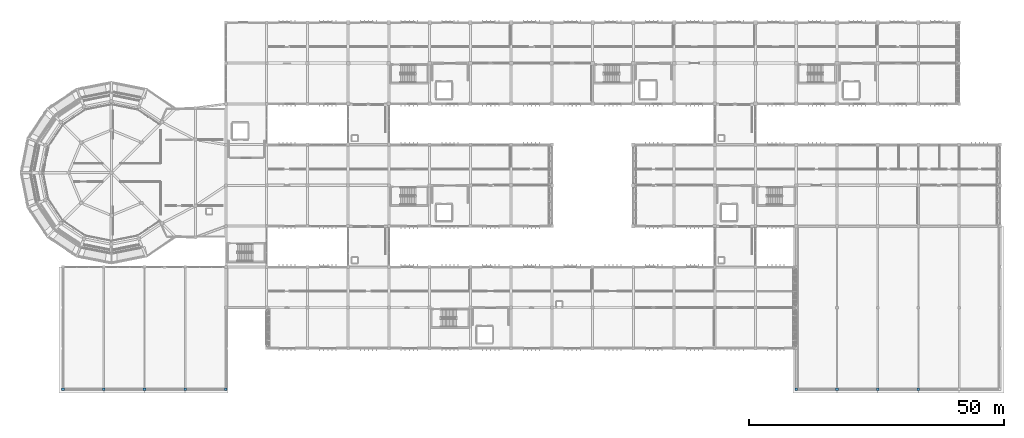
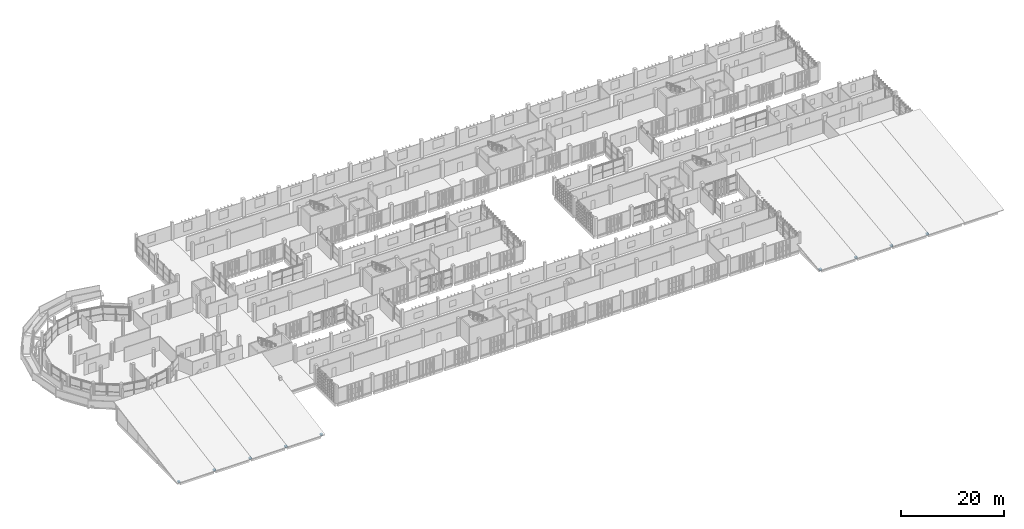
# One storey, part 7 of 83: 9 columns.
"""IFC4 building model written with IfcOpenShell, lengths in metres."""

from ifc_helpers import new_model, si_unit, direction, frame, origin, origin_2d, place, context, subcontext, project, spatial, rectangle, extrude, material, material_profile, profile_set, type_object, element, save


model = new_model("IFC4")

# Units and contexts
model_context = context("Model", 3, precision=1e-05, world=origin(), true_north=direction((0.0, 1.0)))
body_context = subcontext(model_context, "Body", "Model", "MODEL_VIEW")
ifc_project = project(units=[si_unit("LENGTHUNIT", "METRE"), si_unit("AREAUNIT", "SQUARE_METRE"), si_unit("VOLUMEUNIT", "CUBIC_METRE"), si_unit("PLANEANGLEUNIT", "RADIAN"), si_unit("MASSUNIT", "GRAM", prefix="KILO")], contexts=[model_context])

# Site, building, storey
site_placement = place(None, origin())
site = spatial("IfcSite", under=ifc_project, at=site_placement, CompositionType="ELEMENT")
building_placement = place(site_placement, origin())
building = spatial("IfcBuilding", under=site, at=building_placement, Name="Jelvoka-Kovrelna Polytechnic", CompositionType="ELEMENT")
storey_placement = place(building_placement, frame((0.0, 0.0, 13.800048828125)))
storey = spatial("IfcBuildingStorey", under=building, at=storey_placement, Name="L04", CompositionType="ELEMENT", Elevation=13.800048828125)

# Columns
ifc_material = material(Name="Concrete C40/50", Category="concrete")
ifc_material_profile = material_profile(ifc_material, rectangle(XDim=0.5, YDim=0.5, at=origin_2d()), Name="RC 500x500")
ifc_profile_set = profile_set([ifc_material_profile], Name="Concrete C40/50")
column_type = type_object("IfcColumnType", Name="Col_RC_500", PredefinedType="COLUMN", material=ifc_profile_set)
for number, where, z_axis, x_axis, name in (
    (1, (16.0, 0.0, 0.0), (0.0, 0.0, 1.0), (1.0, 0.0, 0.0), "L04 V4 sloped roof column 1670"),
    (2, (24.0, 0.0, 0.0), (0.0, 0.0, 1.0), (1.0, 0.0, 0.0), "L04 V4 sloped roof column 1672"),
    (3, (32.0, 0.0, 0.0), (0.0, 0.0, 1.0), (1.0, 0.0, 0.0), "L04 V4 sloped roof column 1674"),
    (4, (40.0, 0.0, 0.0), (0.0, 0.0, 1.0), (1.0, 0.0, 0.0), "L04 V4 sloped roof column 1676"),
    (5, (48.0, 0.0, 0.0), (0.0, 0.0, 1.0), (1.0, 0.0, 0.0), "L04 V4 sloped roof column 1678"),
    (6, (160.0, 0.0, 0.0), (0.0, 0.0, 1.0), (1.0, 0.0, 0.0), "L04 V5 sloped roof column 1679"),
    (7, (168.0, 0.0, 0.0), (0.0, 0.0, 1.0), (1.0, 0.0, 0.0), "L04 V5 sloped roof column 1680"),
    (8, (176.0, 0.0, 0.0), (0.0, 0.0, 1.0), (1.0, 0.0, 0.0), "L04 V5 sloped roof column 1682"),
    (9, (184.0, 0.0, 0.0), (0.0, 0.0, 1.0), (1.0, 0.0, 0.0), "L04 V5 sloped roof column 1684"),
):
    element("IfcColumn", number, at=place(storey_placement, frame(where, z_axis=z_axis, x_axis=x_axis)), inside=storey, type_object=column_type, Name=name, PredefinedType="COLUMN", context=body_context, shape_type="SweptSolid", body=[
        extrude(rectangle(XDim=0.5, YDim=0.5, at=origin_2d()), origin(), (0.0, 0.0, 1.0), 0.349853515625),
    ])

save(model, "model.ifc")
